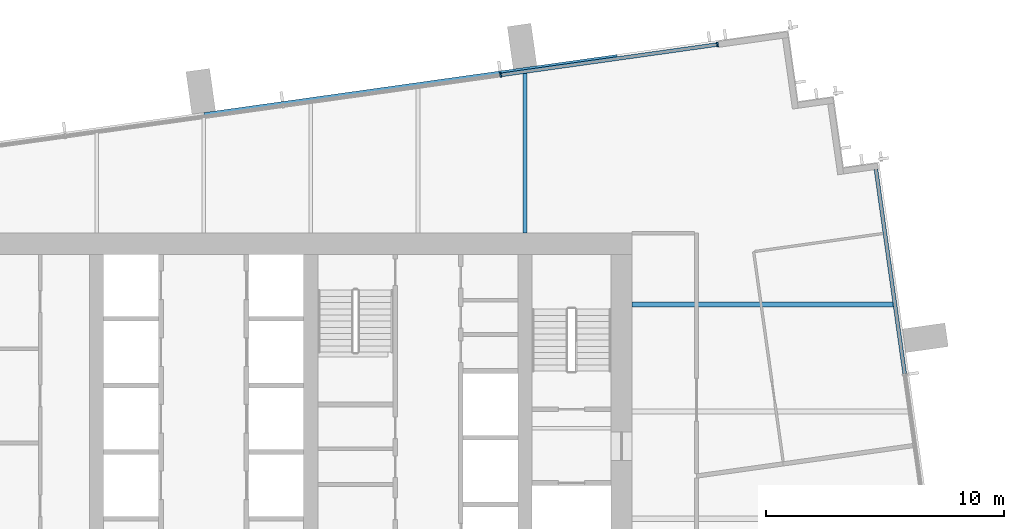
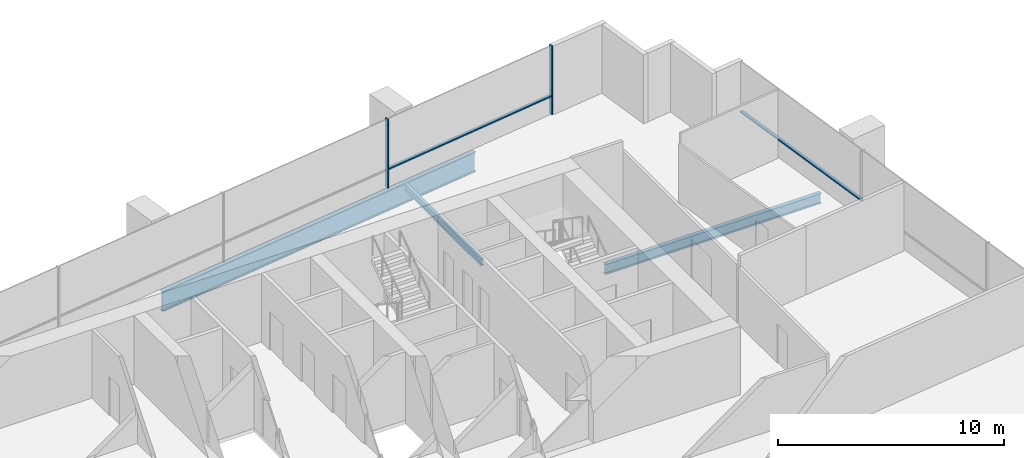
# One storey, part 7 of 13: 4 members, 3 beams, 2 elements without a shape of their own.
"""IFC4 building model written with IfcOpenShell, lengths in metres."""

from ifc_helpers import new_model, si_unit, direction, frame, origin, origin_2d, place, context, subcontext, project, spatial, rectangle, i_section, extrude, material, layer, layer_set, material_profile, profile_set, type_object, element, aggregate, save


model = new_model("IFC4")

# Units and contexts
model_context = context("Model", 3, precision=1e-05, world=origin(), true_north=direction((0.0, 1.0)))
body_context = subcontext(model_context, "Body", "Model", "MODEL_VIEW")
ifc_project = project(units=[si_unit("LENGTHUNIT", "METRE"), si_unit("AREAUNIT", "SQUARE_METRE"), si_unit("VOLUMEUNIT", "CUBIC_METRE"), si_unit("PLANEANGLEUNIT", "RADIAN"), si_unit("MASSUNIT", "GRAM", prefix="KILO")], contexts=[model_context])

# Site, building, storey
site_placement = place(None, origin())
site = spatial("IfcSite", under=ifc_project, at=site_placement, CompositionType="ELEMENT")
building_placement = place(site_placement, origin())
building = spatial("IfcBuilding", under=site, at=building_placement, Name="Rattan Terrace Tower", CompositionType="ELEMENT")
storey_placement = place(building_placement, frame((0.0, 0.0, 240.800048828125)))
storey = spatial("IfcBuildingStorey", under=building, at=storey_placement, Name="L55", CompositionType="ELEMENT", Elevation=240.800048828125)

# Beams
ifc_material_1 = material(Name="Steel S460", Category="steel")
ifc_material_profile_1 = material_profile(ifc_material_1, i_section(OverallWidth=0.179931640625, OverallDepth=1.10009765625, WebThickness=0.01611328125, FlangeThickness=0.050048828125, at=origin_2d()), Name="PG 1100x180-16-50")
ifc_profile_set_1 = profile_set([ifc_material_profile_1], Name="Steel S460")
beam_type_1 = type_object("IfcBeamType", Name="Frame edge girder PG 1100x180-16-50", PredefinedType="SPANDREL", material=ifc_profile_set_1)
beam_1_placement = place(storey_placement, frame((17.3740234375, 14.909912109375, -0.75), z_axis=(-0.990275742813, -0.139118486179, 0.0), x_axis=(0.139118486179, -0.990275742813, 0.0)))
element("IfcBeam", 1, at=beam_1_placement, inside=storey, type_object=beam_type_1, Name="gdr-L55-006", PredefinedType="SPANDREL", context=body_context, shape_type="SweptSolid", body=[
    extrude(i_section(OverallWidth=0.179931640625, OverallDepth=1.10009765625, WebThickness=0.01611328125, FlangeThickness=0.050048828125, at=origin_2d()), origin(), (0.0, 0.0, 1.0), 17.531494140625),
])
ifc_material_2 = material(Name="Steel S355", Category="steel")
ifc_material_profile_2 = material_profile(ifc_material_2, i_section(OverallWidth=0.169921875, OverallDepth=0.360107421875, WebThickness=0.008056640625, FlangeThickness=0.0126953125, FilletRadius=0.01806640625, at=origin_2d()), Name="IPE 360")
ifc_profile_set_2 = profile_set([ifc_material_profile_2], Name="Steel S355")
beam_type_2 = type_object("IfcBeamType", Name="Frame floor beam IPE 360", PredefinedType="JOIST", material=ifc_profile_set_2)
beam_2_placement = place(storey_placement, frame((13.5, 7.5, -0.380126953125), z_axis=(0.0, 1.0, 0.0), x_axis=(-1.0, 0.0, 0.0)))
element("IfcBeam", 2, at=beam_2_placement, inside=storey, type_object=beam_type_2, Name="bm-L55-020", PredefinedType="JOIST", context=body_context, shape_type="SweptSolid", body=[
    extrude(i_section(OverallWidth=0.169921875, OverallDepth=0.360107421875, WebThickness=0.008056640625, FlangeThickness=0.0126953125, FilletRadius=0.01806640625, at=origin_2d()), origin(), (0.0, 0.0, 1.0), 6.762939453125),
])
ifc_material_3 = material(Name="Steel S355", Category="steel")
ifc_material_profile_3 = material_profile(ifc_material_3, i_section(OverallWidth=0.2099609375, OverallDepth=0.550048828125, WebThickness=0.010986328125, FlangeThickness=0.01708984375, FilletRadius=0.02392578125, at=origin_2d()), Name="IPE 550")
ifc_profile_set_3 = profile_set([ifc_material_profile_3], Name="Steel S355")
beam_type_3 = type_object("IfcBeamType", Name="Frame floor beam IPE 550", PredefinedType="JOIST", material=ifc_profile_set_3)
beam_3_placement = place(storey_placement, frame((18.0, 4.5, -0.47509765625), z_axis=(1.0, 0.0, 0.0), x_axis=(0.0, 1.0, 0.0)))
element("IfcBeam", 3, at=beam_3_placement, inside=storey, type_object=beam_type_3, Name="bm-L55-013", PredefinedType="JOIST", context=body_context, shape_type="SweptSolid", body=[
    extrude(i_section(OverallWidth=0.2099609375, OverallDepth=0.550048828125, WebThickness=0.010986328125, FlangeThickness=0.01708984375, FilletRadius=0.02392578125, at=origin_2d()), origin(), (0.0, 0.0, 1.0), 11.013916015625),
])

# Curtain wall, members
ifc_material_4 = material(Name="Aluminium and laminated glass", Category="aluminium")
ifc_layer = layer(ifc_material_4, 0.199951171875)
ifc_layer_set = layer_set([ifc_layer], Name="High-Zone Unitised Curtain Wall")
curtain_wall_type = type_object("IfcCurtainWallType", Name="High-Zone Unitised Curtain Wall", PredefinedType="NOTDEFINED", material=ifc_layer_set)
curtain_wall_1_placement = place(storey_placement, origin())
curtain_wall_1 = element("IfcCurtainWall", 4, at=curtain_wall_1_placement, inside=storey, type_object=curtain_wall_type, Name="High-zone curtain wall L55-2", PredefinedType="NOTDEFINED")
ifc_material_5 = material(Name="Aluminium", Category="aluminium")
ifc_material_profile_4 = material_profile(ifc_material_5, rectangle(XDim=0.070068359375, YDim=0.199951171875, at=origin_2d()), Name="Aluminium 70x200")
ifc_profile_set_4 = profile_set([ifc_material_profile_4], Name="Aluminium")
member_type_1 = type_object("IfcMemberType", Name="High-Zone CW Mullion 70x200", PredefinedType="MULLION", material=ifc_profile_set_4)
member_1_placement = place(storey_placement, frame((21.580078125, 15.4208984375, 0.0), z_axis=(0.0, 0.0, 1.0), x_axis=(-0.990267457022, -0.139177453499, 0.0)))
member_1 = element("IfcMember", 5, at=member_1_placement, type_object=member_type_1, Name="Mullion cwl-L55-002.1", PredefinedType="MULLION", context=body_context, shape_type="SweptSolid", body=[
    extrude(rectangle(XDim=0.070068359375, YDim=0.199951171875, at=origin_2d()), origin(), (0.0, 0.0, 1.0), 3.699951171875),
])
member_2_placement = place(storey_placement, frame((12.473388671875, 14.140869140625, 0.0), z_axis=(0.0, 0.0, 1.0), x_axis=(-0.990267457022, -0.139177453499, 0.0)))
member_2 = element("IfcMember", 6, at=member_2_placement, type_object=member_type_1, Name="Mullion cwl-L55-002.2", PredefinedType="MULLION", context=body_context, shape_type="SweptSolid", body=[
    extrude(rectangle(XDim=0.070068359375, YDim=0.199951171875, at=origin_2d()), origin(), (0.0, 0.0, 1.0), 3.699951171875),
])

# Curtain wall, member
curtain_wall_2_placement = place(storey_placement, origin())
curtain_wall_2 = element("IfcCurtainWall", 7, at=curtain_wall_2_placement, inside=storey, type_object=curtain_wall_type, Name="High-zone curtain wall L55-1", PredefinedType="NOTDEFINED")
ifc_material_6 = material(Name="Aluminium", Category="aluminium")
ifc_material_profile_5 = material_profile(ifc_material_6, rectangle(XDim=0.159912109375, YDim=0.070068359375, at=origin_2d()), Name="Aluminium 160x70")
ifc_profile_set_5 = profile_set([ifc_material_profile_5], Name="Aluminium")
member_type_2 = type_object("IfcMemberType", Name="High-Zone CW Transom 160x70", PredefinedType="USERDEFINED", material=ifc_profile_set_5)
member_3_placement = place(storey_placement, frame((29.447509765625, 1.585693359375, 1.0), z_axis=(-0.139193563319, 0.990265192729, 0.0), x_axis=(-0.990265192729, -0.139193563319, 0.0)))
member_3 = element("IfcMember", 8, at=member_3_placement, type_object=member_type_2, Name="Transom cwl-L55-001.3", ObjectType="TRANSOM", PredefinedType="USERDEFINED", context=body_context, shape_type="SweptSolid", body=[
    extrude(rectangle(XDim=0.159912109375, YDim=0.070068359375, at=origin_2d()), origin(), (0.0, 0.0, 1.0), 8.669921875),
])
aggregate(curtain_wall_2, [member_3])

# Member
member_4_placement = place(storey_placement, frame((21.54541015625, 15.416015625, 1.0), z_axis=(-0.990265856778, -0.139188838988, 0.0), x_axis=(0.139188838988, -0.990265856778, 0.0)))
member_4 = element("IfcMember", 9, at=member_4_placement, type_object=member_type_2, Name="Transom cwl-L55-002.1", ObjectType="TRANSOM", PredefinedType="USERDEFINED", context=body_context, shape_type="SweptSolid", body=[
    extrude(rectangle(XDim=0.159912109375, YDim=0.070068359375, at=origin_2d()), origin(), (0.0, 0.0, 1.0), 9.126220703125),
])

aggregate(curtain_wall_1, [member_1, member_2, member_4])

save(model, "model.ifc")
